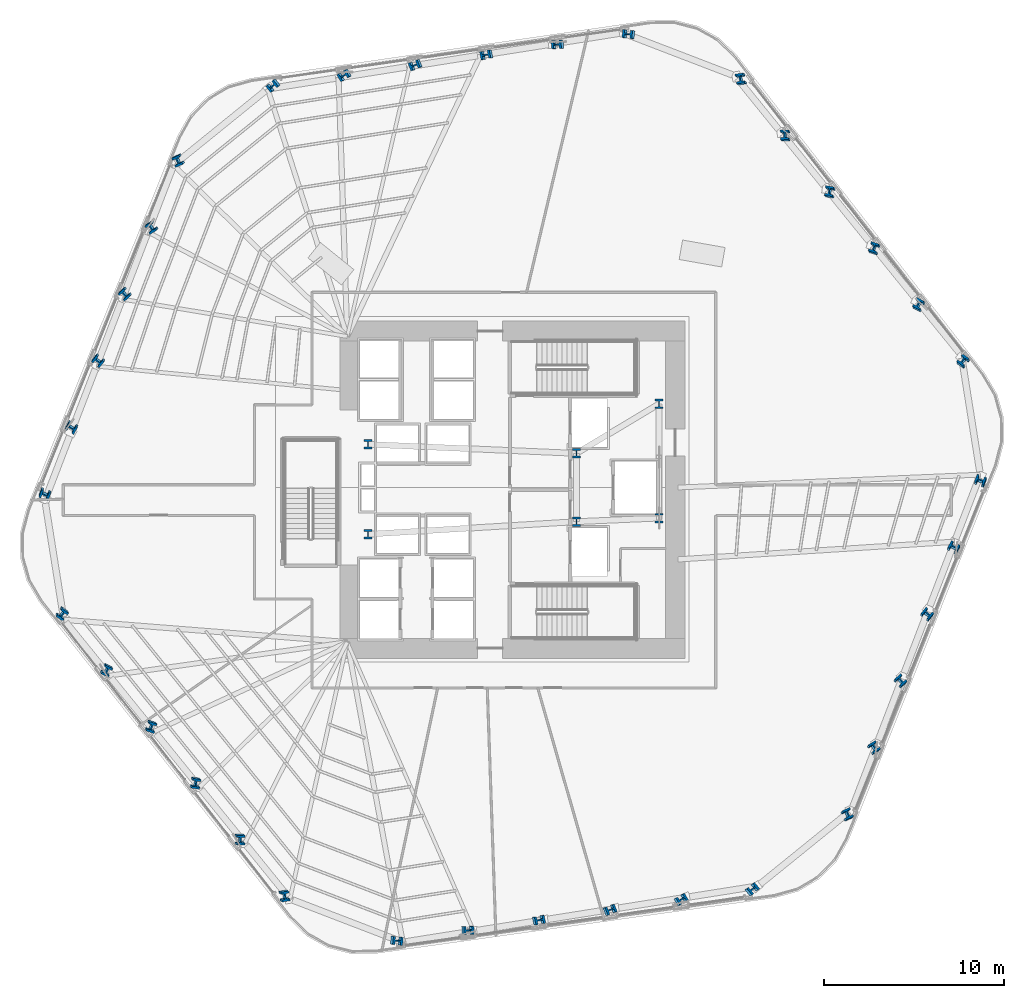
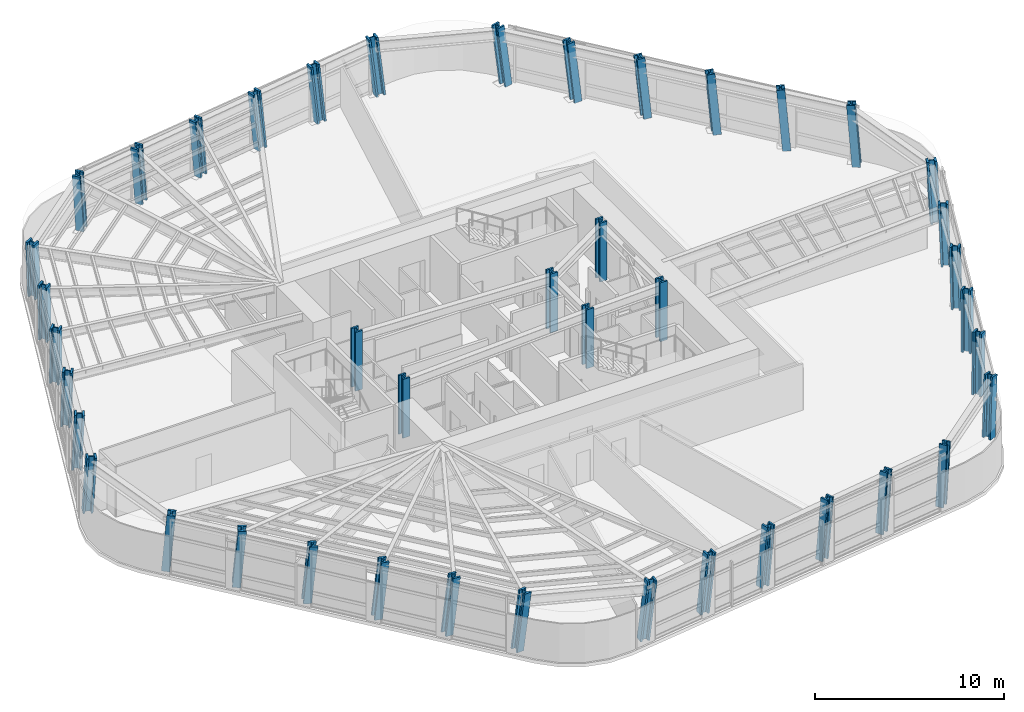
# One storey, part 1 of 16: 42 columns.
"""IFC4 building model written with IfcOpenShell, lengths in metres."""

from ifc_helpers import new_model, si_unit, direction, frame, origin, origin_2d, place, context, subcontext, project, spatial, i_section, extrude, material, material_profile, profile_set, type_object, element, save


model = new_model("IFC4")

# Units and contexts
model_context = context("Model", 3, precision=1e-05, world=origin(), true_north=direction((0.0, 1.0)))
body_context = subcontext(model_context, "Body", "Model", "MODEL_VIEW")
ifc_project = project(units=[si_unit("LENGTHUNIT", "METRE"), si_unit("AREAUNIT", "SQUARE_METRE"), si_unit("VOLUMEUNIT", "CUBIC_METRE"), si_unit("PLANEANGLEUNIT", "RADIAN"), si_unit("MASSUNIT", "GRAM", prefix="KILO")], contexts=[model_context])

# Site, building, storey
site_placement = place(None, origin())
site = spatial("IfcSite", under=ifc_project, at=site_placement, CompositionType="ELEMENT")
building_placement = place(site_placement, origin())
building = spatial("IfcBuilding", under=site, at=building_placement, Name="Valkerne Bourse Tower", CompositionType="ELEMENT")
storey_placement = place(building_placement, frame((0.0, 0.0, 58.199951171875)))
storey = spatial("IfcBuildingStorey", under=building, at=storey_placement, Name="L14", CompositionType="ELEMENT", Elevation=58.199951171875)

# Columns
ifc_material = material(Name="Steel ASTM A913 Grade 65", Category="steel")
ifc_material_profile_1 = material_profile(ifc_material, i_section(OverallWidth=0.44189453125, OverallDepth=0.531005859375, WebThickness=0.06591796875, FlangeThickness=0.105712890625, FilletRadius=0.030517578125, at=origin_2d()), Name="W14X605")
ifc_profile_set_1 = profile_set([ifc_material_profile_1], Name="Steel ASTM A913 Grade 65")
column_type_1 = type_object("IfcColumnType", Name="COL-W14X605", PredefinedType="COLUMN", material=ifc_profile_set_1)
for number, where, z_axis, x_axis, name in (
    (1, (38.75, 24.39990234375, 0.005126953125), (0.0, 0.0, 1.0), (1.0, 0.0, 0.0), "L14 Core Frame Column CC-SW"),
    (2, (38.75, 29.39990234375, 0.005126953125), (0.0, 0.0, 1.0), (1.0, 0.0, 0.0), "L14 Core Frame Column CC-NW"),
    (3, (50.35009765625, 25.10009765625, 0.005126953125), (0.0, 0.0, 1.0), (1.0, 0.0, 0.0), "L14 Core Frame Column CC-CE1"),
    (4, (50.35009765625, 28.89990234375, 0.005126953125), (0.0, 0.0, 1.0), (1.0, 0.0, 0.0), "L14 Core Frame Column CC-CE2"),
    (5, (54.949951171875, 25.300048828125, 0.005126953125), (0.0, 0.0, 1.0), (1.0, 0.0, 0.0), "L14 Core Frame Column CC-SE"),
    (6, (54.949951171875, 31.64990234375, 0.005126953125), (0.0, 0.0, 1.0), (1.0, 0.0, 0.0), "L14 Core Frame Column CC-NE"),
):
    element("IfcColumn", number, at=place(storey_placement, frame(where, z_axis=z_axis, x_axis=x_axis)), inside=storey, type_object=column_type_1, Name=name, PredefinedType="COLUMN", context=body_context, shape_type="SweptSolid", body=[
        extrude(i_section(OverallWidth=0.44189453125, OverallDepth=0.531005859375, WebThickness=0.06591796875, FlangeThickness=0.105712890625, FilletRadius=0.030517578125, at=origin_2d()), origin(), (0.0, 0.0, 1.0), 3.794921875),
    ])
ifc_material_profile_2 = material_profile(ifc_material, i_section(OverallWidth=0.44970703125, OverallDepth=0.548583984375, WebThickness=0.072021484375, FlangeThickness=0.11474609375, FilletRadius=0.030517578125, at=origin_2d()), Name="W14X665")
ifc_profile_set_2 = profile_set([ifc_material_profile_2], Name="Steel ASTM A913 Grade 65")
column_type_2 = type_object("IfcColumnType", Name="COL-W14X665", PredefinedType="COLUMN", material=ifc_profile_set_2)
column_1_placement = place(storey_placement, frame((71.8759765625, 33.96728515625, 0.010009765625), z_axis=(-0.029594375212, 0.103355627095, 0.994204097408), x_axis=(0.808563900403, -0.582294429303, 0.084602698345)))
element("IfcColumn", 7, at=column_1_placement, inside=storey, type_object=column_type_2, Name="L14 Helical Perimeter Tube Column F1-C1", PredefinedType="COLUMN", context=body_context, shape_type="SweptSolid", body=[
    extrude(i_section(OverallWidth=0.44970703125, OverallDepth=0.548583984375, WebThickness=0.072021484375, FlangeThickness=0.11474609375, FilletRadius=0.030517578125, at=origin_2d()), origin(), (0.0, 0.0, 1.0), 3.802978515625),
])
column_2_placement = place(storey_placement, frame((69.410400390625, 37.11181640625, 0.010009765625), z_axis=(-0.042520906022, 0.093134915004, 0.994745123214), x_axis=(0.886412202488, -0.45583129207, 0.080568234748)))
element("IfcColumn", 8, at=column_2_placement, inside=storey, type_object=column_type_2, Name="L14 Helical Perimeter Tube Column F1-C2", PredefinedType="COLUMN", context=body_context, shape_type="SweptSolid", body=[
    extrude(i_section(OverallWidth=0.44970703125, OverallDepth=0.548583984375, WebThickness=0.072021484375, FlangeThickness=0.11474609375, FilletRadius=0.030517578125, at=origin_2d()), origin(), (0.0, 0.0, 1.0), 3.801025390625),
])
for number, where, z_axis, x_axis, name in (
    (9, (66.944580078125, 40.25634765625, 0.010009765625), (-0.055446417476, 0.082880508162, 0.995015837138), (0.948238356193, -0.307711473838, 0.078470814402), "L14 Helical Perimeter Tube Column F1-C3"),
    (10, (64.47900390625, 43.40087890625, 0.010009765625), (-0.068424286977, 0.072600417168, 0.995011204147), (0.986073706271, -0.146612644703, 0.078507185749), "L14 Helical Perimeter Tube Column F1-C4"),
):
    element("IfcColumn", number, at=place(storey_placement, frame(where, z_axis=z_axis, x_axis=x_axis)), inside=storey, type_object=column_type_2, Name=name, PredefinedType="COLUMN", context=body_context, shape_type="SweptSolid", body=[
        extrude(i_section(OverallWidth=0.44970703125, OverallDepth=0.548583984375, WebThickness=0.072021484375, FlangeThickness=0.11474609375, FilletRadius=0.030517578125, at=origin_2d()), origin(), (0.0, 0.0, 1.0), 3.800048828125),
    ])
column_3_placement = place(storey_placement, frame((62.01318359375, 46.545654296875, 0.010009765625), z_axis=(-0.081252445603, 0.062240015644, 0.994748320198), x_axis=(0.996655319907, 0.013815629573, 0.080543787346)))
element("IfcColumn", 11, at=column_3_placement, inside=storey, type_object=column_type_2, Name="L14 Helical Perimeter Tube Column F1-C5", PredefinedType="COLUMN", context=body_context, shape_type="SweptSolid", body=[
    extrude(i_section(OverallWidth=0.44970703125, OverallDepth=0.548583984375, WebThickness=0.072021484375, FlangeThickness=0.11474609375, FilletRadius=0.030517578125, at=origin_2d()), origin(), (0.0, 0.0, 1.0), 3.801025390625),
])
for number, where, z_axis, x_axis, name in (
    (12, (59.547607421875, 49.690185546875, 0.010009765625), (-0.094111587915, 0.051934703017, 0.99420611326), (0.983121305356, 0.162226275983, 0.084588027144), "L14 Helical Perimeter Tube Column F1-C6"),
    (13, (53.30419921875, 52.2001953125, 0.010009765625), (-0.104318561487, 0.025999395324, 0.994204037998), (0.103493894331, 0.994514728135, -0.015148246052), "L14 Helical Perimeter Tube Column F2-C1"),
):
    element("IfcColumn", number, at=place(storey_placement, frame(where, z_axis=z_axis, x_axis=x_axis)), inside=storey, type_object=column_type_2, Name=name, PredefinedType="COLUMN", context=body_context, shape_type="SweptSolid", body=[
        extrude(i_section(OverallWidth=0.44970703125, OverallDepth=0.548583984375, WebThickness=0.072021484375, FlangeThickness=0.11474609375, FilletRadius=0.030517578125, at=origin_2d()), origin(), (0.0, 0.0, 1.0), 3.802978515625),
    ])
column_4_placement = place(storey_placement, frame((49.347900390625, 51.636962890625, 0.010009765625), z_axis=(-0.101870799276, 0.009763153525, 0.994749727865), x_axis=(-0.045072470079, 0.998879647778, -0.014419490154)))
element("IfcColumn", 14, at=column_4_placement, inside=storey, type_object=column_type_2, Name="L14 Helical Perimeter Tube Column F2-C2", PredefinedType="COLUMN", context=body_context, shape_type="SweptSolid", body=[
    extrude(i_section(OverallWidth=0.44970703125, OverallDepth=0.548583984375, WebThickness=0.072021484375, FlangeThickness=0.11474609375, FilletRadius=0.030517578125, at=origin_2d()), origin(), (0.0, 0.0, 1.0), 3.801025390625),
])
for number, where, z_axis, x_axis, name in (
    (15, (45.391845703125, 51.073974609375, 0.010009765625), (-0.099457011309, -0.006617617678, 0.995019854092), (-0.205618532314, 0.978531434511, -0.014044601942), "L14 Helical Perimeter Tube Column F2-C3"),
    (16, (41.435791015625, 50.510986328125, 0.010009765625), (-0.097015432777, -0.022936761259, 0.995018547961), (-0.364223577346, 0.931205607403, -0.014046438946), "L14 Helical Perimeter Tube Column F2-C4"),
):
    element("IfcColumn", number, at=place(storey_placement, frame(where, z_axis=z_axis, x_axis=x_axis)), inside=storey, type_object=column_type_2, Name=name, PredefinedType="COLUMN", context=body_context, shape_type="SweptSolid", body=[
        extrude(i_section(OverallWidth=0.44970703125, OverallDepth=0.548583984375, WebThickness=0.072021484375, FlangeThickness=0.11474609375, FilletRadius=0.030517578125, at=origin_2d()), origin(), (0.0, 0.0, 1.0), 3.800048828125),
    ])
column_5_placement = place(storey_placement, frame((37.4794921875, 49.947998046875, 0.010009765625), z_axis=(-0.094484225274, -0.039309548516, 0.994749963845), x_axis=(-0.509701381229, 0.860230544446, -0.014419166952)))
element("IfcColumn", 17, at=column_5_placement, inside=storey, type_object=column_type_2, Name="L14 Helical Perimeter Tube Column F2-C5", PredefinedType="COLUMN", context=body_context, shape_type="SweptSolid", body=[
    extrude(i_section(OverallWidth=0.44970703125, OverallDepth=0.548583984375, WebThickness=0.072021484375, FlangeThickness=0.11474609375, FilletRadius=0.030517578125, at=origin_2d()), origin(), (0.0, 0.0, 1.0), 3.801025390625),
])
for number, where, z_axis, x_axis, name in (
    (18, (33.5234375, 49.384765625, 0.010009765625), (-0.091993478768, -0.055529908677, 0.994210052809), (-0.631552503691, 0.77518527022, -0.015140406731), "L14 Helical Perimeter Tube Column F2-C6"),
    (19, (28.228271484375, 45.23291015625, 0.010009765625), (-0.074723838371, -0.077355863606, 0.994199385609), (-0.90915541819, -0.404324281439, -0.099791287267), "L14 Helical Perimeter Tube Column F3-C1"),
):
    element("IfcColumn", number, at=place(storey_placement, frame(where, z_axis=z_axis, x_axis=x_axis)), inside=storey, type_object=column_type_2, Name=name, PredefinedType="COLUMN", context=body_context, shape_type="SweptSolid", body=[
        extrude(i_section(OverallWidth=0.44970703125, OverallDepth=0.548583984375, WebThickness=0.072021484375, FlangeThickness=0.11474609375, FilletRadius=0.030517578125, at=origin_2d()), origin(), (0.0, 0.0, 1.0), 3.802978515625),
    ])
column_6_placement = place(storey_placement, frame((26.73779296875, 41.525146484375, 0.010009765625), z_axis=(-0.059349686632, -0.08337217884, 0.994749563705), x_axis=(-0.839116354037, -0.535600115709, -0.094953991175)))
element("IfcColumn", 20, at=column_6_placement, inside=storey, type_object=column_type_2, Name="L14 Helical Perimeter Tube Column F3-C2", PredefinedType="COLUMN", context=body_context, shape_type="SweptSolid", body=[
    extrude(i_section(OverallWidth=0.44970703125, OverallDepth=0.548583984375, WebThickness=0.072021484375, FlangeThickness=0.11474609375, FilletRadius=0.030517578125, at=origin_2d()), origin(), (0.0, 0.0, 1.0), 3.801025390625),
])
column_7_placement = place(storey_placement, frame((25.247314453125, 37.8173828125, 0.010009765625), z_axis=(-0.044010624968, -0.089370480774, 0.995025618794), x_axis=(-0.742482382761, -0.663458002883, -0.09243045872)))
element("IfcColumn", 21, at=column_7_placement, inside=storey, type_object=column_type_2, Name="L14 Helical Perimeter Tube Column F3-C3", PredefinedType="COLUMN", context=body_context, shape_type="SweptSolid", body=[
    extrude(i_section(OverallWidth=0.44970703125, OverallDepth=0.548583984375, WebThickness=0.072021484375, FlangeThickness=0.11474609375, FilletRadius=0.030517578125, at=origin_2d()), origin(), (0.0, 0.0, 1.0), 3.7998046875),
])
column_8_placement = place(storey_placement, frame((23.7568359375, 34.10986328125, 0.010009765625), z_axis=(-0.028654915261, -0.095473551746, 0.995019445412), x_axis=(-0.622637359049, -0.777025580815, -0.092487652562)))
element("IfcColumn", 22, at=column_8_placement, inside=storey, type_object=column_type_2, Name="L14 Helical Perimeter Tube Column F3-C4", PredefinedType="COLUMN", context=body_context, shape_type="SweptSolid", body=[
    extrude(i_section(OverallWidth=0.44970703125, OverallDepth=0.548583984375, WebThickness=0.072021484375, FlangeThickness=0.11474609375, FilletRadius=0.030517578125, at=origin_2d()), origin(), (0.0, 0.0, 1.0), 3.800048828125),
])
column_9_placement = place(storey_placement, frame((22.266357421875, 30.40234375, 0.010009765625), z_axis=(-0.013295853007, -0.101485254837, 0.994748190922), x_axis=(-0.489722679825, -0.866690882168, -0.094966371056)))
element("IfcColumn", 23, at=column_9_placement, inside=storey, type_object=column_type_2, Name="L14 Helical Perimeter Tube Column F3-C5", PredefinedType="COLUMN", context=body_context, shape_type="SweptSolid", body=[
    extrude(i_section(OverallWidth=0.44970703125, OverallDepth=0.548583984375, WebThickness=0.072021484375, FlangeThickness=0.11474609375, FilletRadius=0.030517578125, at=origin_2d()), origin(), (0.0, 0.0, 1.0), 3.801025390625),
])
for number, where, z_axis, x_axis, name in (
    (24, (20.77587890625, 26.694580078125, 0.010009765625), (0.002118474858, -0.107464451889, 0.994206670489), (-0.354734147266, -0.92963318242, -0.099728786757), "L14 Helical Perimeter Tube Column F3-C6"),
    (25, (21.72412109375, 20.03271484375, 0.010009765625), (0.029594375212, -0.103355627095, 0.994204097408), (0.808563900403, -0.582294429303, -0.084602698345), "L14 Helical Perimeter Tube Column F4-C1"),
):
    element("IfcColumn", number, at=place(storey_placement, frame(where, z_axis=z_axis, x_axis=x_axis)), inside=storey, type_object=column_type_2, Name=name, PredefinedType="COLUMN", context=body_context, shape_type="SweptSolid", body=[
        extrude(i_section(OverallWidth=0.44970703125, OverallDepth=0.548583984375, WebThickness=0.072021484375, FlangeThickness=0.11474609375, FilletRadius=0.030517578125, at=origin_2d()), origin(), (0.0, 0.0, 1.0), 3.802978515625),
    ])
column_10_placement = place(storey_placement, frame((24.189697265625, 16.88818359375, 0.010009765625), z_axis=(0.042520906022, -0.093134915004, 0.994745123214), x_axis=(0.886412202488, -0.45583129207, -0.080568234748)))
element("IfcColumn", 26, at=column_10_placement, inside=storey, type_object=column_type_2, Name="L14 Helical Perimeter Tube Column F4-C2", PredefinedType="COLUMN", context=body_context, shape_type="SweptSolid", body=[
    extrude(i_section(OverallWidth=0.44970703125, OverallDepth=0.548583984375, WebThickness=0.072021484375, FlangeThickness=0.11474609375, FilletRadius=0.030517578125, at=origin_2d()), origin(), (0.0, 0.0, 1.0), 3.801025390625),
])
for number, where, z_axis, x_axis, name in (
    (27, (26.655517578125, 13.74365234375, 0.010009765625), (0.055446417476, -0.082880508162, 0.995015837138), (0.948238356193, -0.307711473838, -0.078470814402), "L14 Helical Perimeter Tube Column F4-C3"),
    (28, (29.12109375, 10.59912109375, 0.010009765625), (0.068360339201, -0.072600736182, 0.995015576325), (0.986007214547, -0.147077471877, -0.078472862368), "L14 Helical Perimeter Tube Column F4-C4"),
):
    element("IfcColumn", number, at=place(storey_placement, frame(where, z_axis=z_axis, x_axis=x_axis)), inside=storey, type_object=column_type_2, Name=name, PredefinedType="COLUMN", context=body_context, shape_type="SweptSolid", body=[
        extrude(i_section(OverallWidth=0.44970703125, OverallDepth=0.548583984375, WebThickness=0.072021484375, FlangeThickness=0.11474609375, FilletRadius=0.030517578125, at=origin_2d()), origin(), (0.0, 0.0, 1.0), 3.800048828125),
    ])
column_11_placement = place(storey_placement, frame((31.586669921875, 7.454345703125, 0.010009765625), z_axis=(0.081252445603, -0.062240015644, 0.994748320198), x_axis=(0.996655319907, 0.013815629573, -0.080543787346)))
element("IfcColumn", 29, at=column_11_placement, inside=storey, type_object=column_type_2, Name="L14 Helical Perimeter Tube Column F4-C5", PredefinedType="COLUMN", context=body_context, shape_type="SweptSolid", body=[
    extrude(i_section(OverallWidth=0.44970703125, OverallDepth=0.548583984375, WebThickness=0.072021484375, FlangeThickness=0.11474609375, FilletRadius=0.030517578125, at=origin_2d()), origin(), (0.0, 0.0, 1.0), 3.801025390625),
])
for number, where, z_axis, x_axis, name in (
    (30, (34.052490234375, 4.309814453125, 0.010009765625), (0.094111587915, -0.051934703017, 0.99420611326), (0.983121305356, 0.162226275983, -0.084588027144), "L14 Helical Perimeter Tube Column F4-C6"),
    (31, (40.2958984375, 1.7998046875, 0.010009765625), (0.104255063416, -0.025999569386, 0.99421069404), (0.103636677485, 0.99449999119, 0.015139570749), "L14 Helical Perimeter Tube Column F5-C1"),
):
    element("IfcColumn", number, at=place(storey_placement, frame(where, z_axis=z_axis, x_axis=x_axis)), inside=storey, type_object=column_type_2, Name=name, PredefinedType="COLUMN", context=body_context, shape_type="SweptSolid", body=[
        extrude(i_section(OverallWidth=0.44970703125, OverallDepth=0.548583984375, WebThickness=0.072021484375, FlangeThickness=0.11474609375, FilletRadius=0.030517578125, at=origin_2d()), origin(), (0.0, 0.0, 1.0), 3.802978515625),
    ])
column_12_placement = place(storey_placement, frame((44.251953125, 2.363037109375, 0.010009765625), z_axis=(0.101934363355, -0.009763089622, 0.99474321694), x_axis=(-0.045131330232, 0.998876861364, 0.014428404727)))
element("IfcColumn", 32, at=column_12_placement, inside=storey, type_object=column_type_2, Name="L14 Helical Perimeter Tube Column F5-C2", PredefinedType="COLUMN", context=body_context, shape_type="SweptSolid", body=[
    extrude(i_section(OverallWidth=0.44970703125, OverallDepth=0.548583984375, WebThickness=0.072021484375, FlangeThickness=0.11474609375, FilletRadius=0.030517578125, at=origin_2d()), origin(), (0.0, 0.0, 1.0), 3.801025390625),
])
for number, where, z_axis, x_axis, name in (
    (33, (48.2080078125, 2.926025390625, 0.010009765625), (0.099520623885, 0.006617575378, 0.995013493937), (-0.205575790171, 0.978540286535, 0.014053544874), "L14 Helical Perimeter Tube Column F5-C3"),
    (34, (52.164306640625, 3.489013671875, 0.010009765625), (0.097015432777, 0.022936761259, 0.995018547961), (-0.364223577346, 0.931205607403, 0.014046438946), "L14 Helical Perimeter Tube Column F5-C4"),
):
    element("IfcColumn", number, at=place(storey_placement, frame(where, z_axis=z_axis, x_axis=x_axis)), inside=storey, type_object=column_type_2, Name=name, PredefinedType="COLUMN", context=body_context, shape_type="SweptSolid", body=[
        extrude(i_section(OverallWidth=0.44970703125, OverallDepth=0.548583984375, WebThickness=0.072021484375, FlangeThickness=0.11474609375, FilletRadius=0.030517578125, at=origin_2d()), origin(), (0.0, 0.0, 1.0), 3.800048828125),
    ])
column_13_placement = place(storey_placement, frame((56.120361328125, 4.052001953125, 0.010009765625), z_axis=(0.094547882573, 0.039309309874, 0.994743924866), x_axis=(-0.509493300842, 0.860353663034, 0.014427435724)))
element("IfcColumn", 35, at=column_13_placement, inside=storey, type_object=column_type_2, Name="L14 Helical Perimeter Tube Column F5-C5", PredefinedType="COLUMN", context=body_context, shape_type="SweptSolid", body=[
    extrude(i_section(OverallWidth=0.44970703125, OverallDepth=0.548583984375, WebThickness=0.072021484375, FlangeThickness=0.11474609375, FilletRadius=0.030517578125, at=origin_2d()), origin(), (0.0, 0.0, 1.0), 3.801025390625),
])
for number, where, z_axis, x_axis, name in (
    (36, (60.076416015625, 4.615234375, 0.010009765625), (0.092057131348, 0.055529580625, 0.994204179353), (-0.631312556971, 0.775380546333, 0.015148061866), "L14 Helical Perimeter Tube Column F5-C6"),
    (37, (65.371826171875, 8.76708984375, 0.010009765625), (0.074723838371, 0.077355863606, 0.994199385609), (-0.90915541819, -0.404324281439, 0.099791287267), "L14 Helical Perimeter Tube Column F6-C1"),
):
    element("IfcColumn", number, at=place(storey_placement, frame(where, z_axis=z_axis, x_axis=x_axis)), inside=storey, type_object=column_type_2, Name=name, PredefinedType="COLUMN", context=body_context, shape_type="SweptSolid", body=[
        extrude(i_section(OverallWidth=0.44970703125, OverallDepth=0.548583984375, WebThickness=0.072021484375, FlangeThickness=0.11474609375, FilletRadius=0.030517578125, at=origin_2d()), origin(), (0.0, 0.0, 1.0), 3.802978515625),
    ])
column_14_placement = place(storey_placement, frame((66.8623046875, 12.474853515625, 0.010009765625), z_axis=(0.059349686632, 0.08337217884, 0.994749563705), x_axis=(-0.839116354037, -0.535600115709, 0.094953991175)))
element("IfcColumn", 38, at=column_14_placement, inside=storey, type_object=column_type_2, Name="L14 Helical Perimeter Tube Column F6-C2", PredefinedType="COLUMN", context=body_context, shape_type="SweptSolid", body=[
    extrude(i_section(OverallWidth=0.44970703125, OverallDepth=0.548583984375, WebThickness=0.072021484375, FlangeThickness=0.11474609375, FilletRadius=0.030517578125, at=origin_2d()), origin(), (0.0, 0.0, 1.0), 3.801025390625),
])
for number, where, z_axis, x_axis, name in (
    (39, (68.352783203125, 16.1826171875, 0.010009765625), (0.044010624968, 0.089370480774, 0.995025618794), (-0.742482382761, -0.663458002883, 0.09243045872), "L14 Helical Perimeter Tube Column F6-C3"),
    (40, (69.84326171875, 19.89013671875, 0.010009765625), (0.02859071915, 0.09547372732, 0.995021275235), (-0.622157951738, -0.77741150753, 0.092470703733), "L14 Helical Perimeter Tube Column F6-C4"),
):
    element("IfcColumn", number, at=place(storey_placement, frame(where, z_axis=z_axis, x_axis=x_axis)), inside=storey, type_object=column_type_2, Name=name, PredefinedType="COLUMN", context=body_context, shape_type="SweptSolid", body=[
        extrude(i_section(OverallWidth=0.44970703125, OverallDepth=0.548583984375, WebThickness=0.072021484375, FlangeThickness=0.11474609375, FilletRadius=0.030517578125, at=origin_2d()), origin(), (0.0, 0.0, 1.0), 3.7998046875),
    ])
column_15_placement = place(storey_placement, frame((71.33349609375, 23.59765625, 0.010009765625), z_axis=(0.013295853007, 0.101485254837, 0.994748190922), x_axis=(-0.489722679825, -0.866690882168, 0.094966371056)))
element("IfcColumn", 41, at=column_15_placement, inside=storey, type_object=column_type_2, Name="L14 Helical Perimeter Tube Column F6-C5", PredefinedType="COLUMN", context=body_context, shape_type="SweptSolid", body=[
    extrude(i_section(OverallWidth=0.44970703125, OverallDepth=0.548583984375, WebThickness=0.072021484375, FlangeThickness=0.11474609375, FilletRadius=0.030517578125, at=origin_2d()), origin(), (0.0, 0.0, 1.0), 3.801025390625),
])
column_16_placement = place(storey_placement, frame((72.82421875, 27.305419921875, 0.010009765625), z_axis=(-0.002118474858, 0.107464451889, 0.994206670489), x_axis=(-0.354734147266, -0.92963318242, 0.099728786757)))
element("IfcColumn", 42, at=column_16_placement, inside=storey, type_object=column_type_2, Name="L14 Helical Perimeter Tube Column F6-C6", PredefinedType="COLUMN", context=body_context, shape_type="SweptSolid", body=[
    extrude(i_section(OverallWidth=0.44970703125, OverallDepth=0.548583984375, WebThickness=0.072021484375, FlangeThickness=0.11474609375, FilletRadius=0.030517578125, at=origin_2d()), origin(), (0.0, 0.0, 1.0), 3.802978515625),
])

save(model, "model.ifc")
